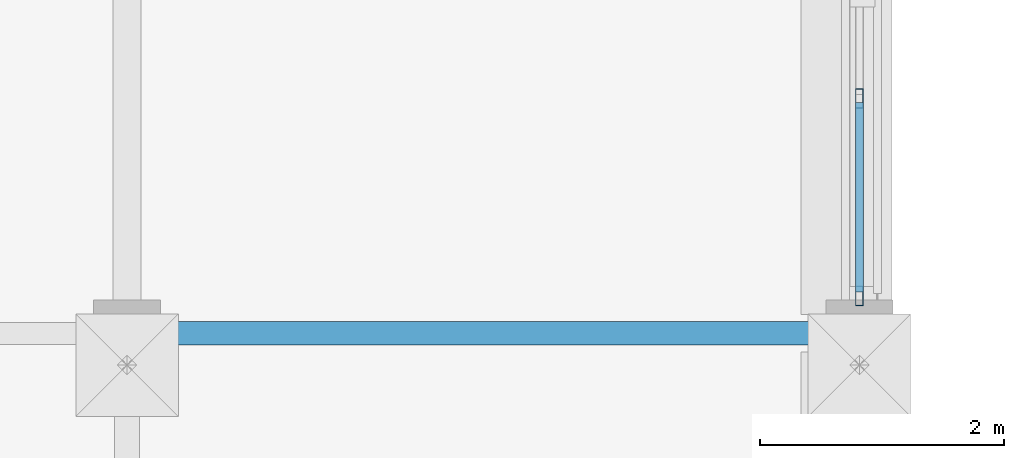
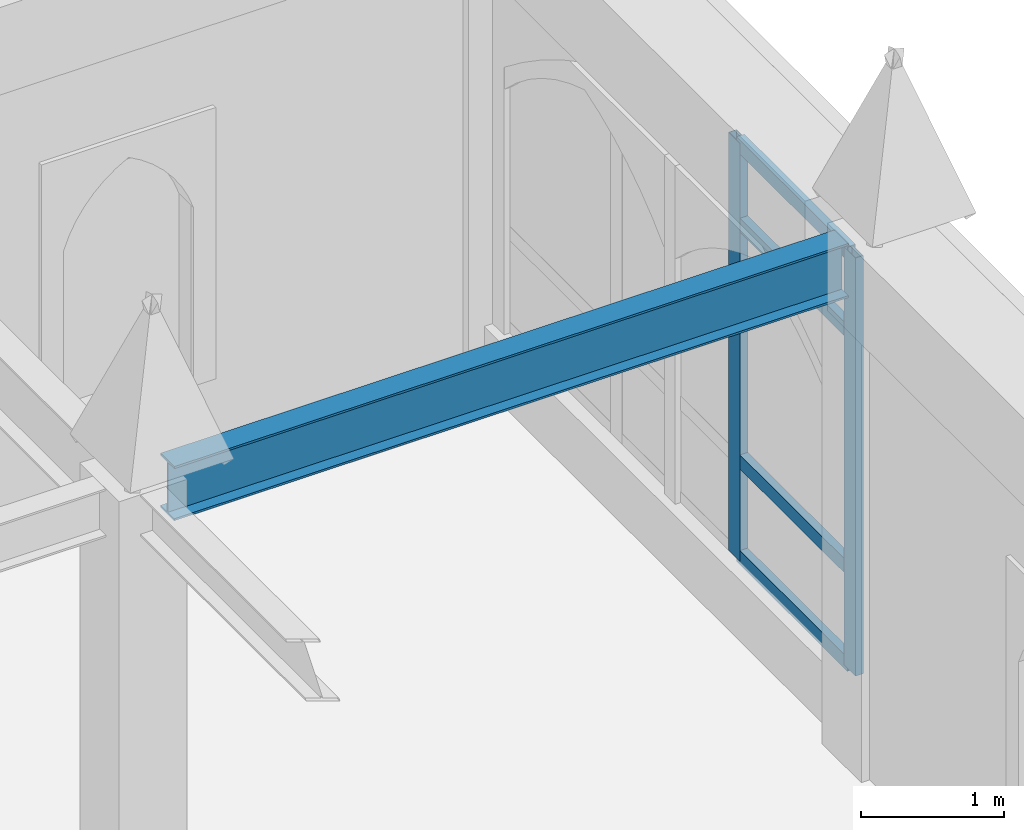
# One storey, part 57 of 108: 6 members, 1 beam, 1 element without a shape of its own.
"""IFC4 building model written with IfcOpenShell, lengths in metres."""

from ifc_helpers import new_model, si_unit, direction, frame, origin, origin_2d, place, context, subcontext, project, spatial, hollow_rectangle, i_section, extrude, material, layer, layer_set, material_profile, profile_set, type_object, element, aggregate, save


model = new_model("IFC4")

# Units and contexts
model_context = context("Model", 3, precision=1e-05, world=origin(), true_north=direction((0.0, 1.0)))
body_context = subcontext(model_context, "Body", "Model", "MODEL_VIEW")
ifc_project = project(units=[si_unit("LENGTHUNIT", "METRE"), si_unit("AREAUNIT", "SQUARE_METRE"), si_unit("VOLUMEUNIT", "CUBIC_METRE"), si_unit("PLANEANGLEUNIT", "RADIAN"), si_unit("MASSUNIT", "GRAM", prefix="KILO")], contexts=[model_context])

# Site, building, storey
site_placement = place(None, origin())
site = spatial("IfcSite", under=ifc_project, at=site_placement, CompositionType="ELEMENT")
building_placement = place(site_placement, origin())
building = spatial("IfcBuilding", under=site, at=building_placement, Name="Cumevento Cable Car Station", CompositionType="ELEMENT")
storey_placement = place(building_placement, frame((0.0, 0.0, 13.5)))
storey = spatial("IfcBuildingStorey", under=building, at=storey_placement, Name="L04", CompositionType="ELEMENT", Elevation=13.5)

# Curtain wall, members
ifc_material_1 = material(Name="Anodised Bronze Aluminium AW-6063-T6", Category="aluminium")
ifc_layer = layer(ifc_material_1, 0.25)
ifc_layer_set = layer_set([ifc_layer], Name="Anodised Bronze Aluminium AW-6063-T6")
curtain_wall_type = type_object("IfcCurtainWallType", Name="Lancet Curtain Wall CW-16 1650", PredefinedType="NOTDEFINED", material=ifc_layer_set)
curtain_wall_placement = place(storey_placement, origin())
curtain_wall = element("IfcCurtainWall", 1, at=curtain_wall_placement, inside=storey, type_object=curtain_wall_type, Name="Lancet Curtain Wall CW-16 L04 #191", PredefinedType="NOTDEFINED")
ifc_material_2 = material(Name="Anodised Bronze Aluminium AW-6063-T6", Category="aluminium")
ifc_material_profile_1 = material_profile(ifc_material_2, hollow_rectangle(XDim=0.06494140625, YDim=0.159912109375, WallThickness=0.00390625, at=origin_2d()), Name="ALUM65x160x4")
ifc_profile_set_1 = profile_set([ifc_material_profile_1], Name="Anodised Bronze Aluminium AW-6063-T6")
member_type_1 = type_object("IfcMemberType", Name="Curtain Mullion CWM-01 ALUM65x160x4", PredefinedType="MULLION", material=ifc_profile_set_1)
member_1_placement = place(storey_placement, frame((142.0, 52.925048828125, 0.52001953125), z_axis=(0.0, 0.0, 1.0), x_axis=(1.0, 0.0, 0.0)))
member_1 = element("IfcMember", 2, at=member_1_placement, type_object=member_type_1, Name="CW-16 mullion 3", PredefinedType="MULLION", context=body_context, shape_type="SweptSolid", body=[
    extrude(hollow_rectangle(XDim=0.06494140625, YDim=0.159912109375, WallThickness=0.00390625, at=origin_2d()), origin(), (0.0, 0.0, 1.0), 3.572998046875),
])
member_2_placement = place(storey_placement, frame((142.0, 51.3076171875, 0.52001953125), z_axis=(0.0, 0.0, 1.0), x_axis=(1.0, 0.0, 0.0)))
member_2 = element("IfcMember", 3, at=member_2_placement, type_object=member_type_1, Name="CW-16 mullion 4", PredefinedType="MULLION", context=body_context, shape_type="SweptSolid", body=[
    extrude(hollow_rectangle(XDim=0.06494140625, YDim=0.159912109375, WallThickness=0.00390625, at=origin_2d()), origin(), (0.0, 0.0, 1.0), 3.572998046875),
])
ifc_material_3 = material(Name="Anodised Bronze Aluminium AW-6063-T6", Category="aluminium")
ifc_material_profile_2 = material_profile(ifc_material_3, hollow_rectangle(XDim=0.06494140625, YDim=0.1201171875, WallThickness=0.00390625, at=origin_2d()), Name="ALUT65x120x4")
ifc_profile_set_2 = profile_set([ifc_material_profile_2], Name="Anodised Bronze Aluminium AW-6063-T6")
member_type_2 = type_object("IfcMemberType", Name="Curtain Transom CWT-01 ALUT65x120x4", PredefinedType="USERDEFINED", material=ifc_profile_set_2)
member_3_placement = place(storey_placement, frame((142.0, 52.892578125, 0.552490234375), z_axis=(0.0, -1.0, 0.0), x_axis=(1.0, 0.0, 0.0)))
member_3 = element("IfcMember", 4, at=member_3_placement, type_object=member_type_2, Name="CW-16 transom 3.1", ObjectType="TRANSOM", PredefinedType="USERDEFINED", context=body_context, shape_type="SweptSolid", body=[
    extrude(hollow_rectangle(XDim=0.06494140625, YDim=0.1201171875, WallThickness=0.00390625, at=origin_2d()), origin(), (0.0, 0.0, 1.0), 1.552490234375),
])
member_4_placement = place(storey_placement, frame((142.0, 52.892578125, 1.3701171875), z_axis=(0.0, -1.0, 0.0), x_axis=(1.0, 0.0, 0.0)))
member_4 = element("IfcMember", 5, at=member_4_placement, type_object=member_type_2, Name="CW-16 transom 3.2", ObjectType="TRANSOM", PredefinedType="USERDEFINED", context=body_context, shape_type="SweptSolid", body=[
    extrude(hollow_rectangle(XDim=0.06494140625, YDim=0.1201171875, WallThickness=0.00390625, at=origin_2d()), origin(), (0.0, 0.0, 1.0), 1.552490234375),
])
member_5_placement = place(storey_placement, frame((142.0, 52.892578125, 3.39306640625), z_axis=(0.0, -1.0, 0.0), x_axis=(1.0, 0.0, 0.0)))
member_5 = element("IfcMember", 6, at=member_5_placement, type_object=member_type_2, Name="CW-16 transom 3.3", ObjectType="TRANSOM", PredefinedType="USERDEFINED", context=body_context, shape_type="SweptSolid", body=[
    extrude(hollow_rectangle(XDim=0.06494140625, YDim=0.1201171875, WallThickness=0.00390625, at=origin_2d()), origin(), (0.0, 0.0, 1.0), 1.552490234375),
])
member_6_placement = place(storey_placement, frame((142.0, 52.892578125, 4.060546875), z_axis=(0.0, -1.0, 0.0), x_axis=(1.0, 0.0, 0.0)))
member_6 = element("IfcMember", 7, at=member_6_placement, type_object=member_type_2, Name="CW-16 transom 3.4", ObjectType="TRANSOM", PredefinedType="USERDEFINED", context=body_context, shape_type="SweptSolid", body=[
    extrude(hollow_rectangle(XDim=0.06494140625, YDim=0.1201171875, WallThickness=0.00390625, at=origin_2d()), origin(), (0.0, 0.0, 1.0), 1.552490234375),
])
aggregate(curtain_wall, [member_1, member_2, member_3, member_4, member_5, member_6])

# Beam
ifc_material_4 = material(Name="Steel ASTM A572 Grade 50", Category="steel")
ifc_material_profile_3 = material_profile(ifc_material_4, i_section(OverallWidth=0.19189453125, OverallDepth=0.462890625, WebThickness=0.010498046875, FlangeThickness=0.017578125, at=origin_2d()), Name="W460x89.0")
ifc_profile_set_3 = profile_set([ifc_material_profile_3], Name="Steel ASTM A572 Grade 50")
beam_type = type_object("IfcBeamType", Name="Structural Beam BM-10 W460x89.0", PredefinedType="BEAM", material=ifc_profile_set_3)
beam_placement = place(storey_placement, frame((136.27490234375, 51.0, 4.2685546875), z_axis=(1.0, 0.0, 0.0), x_axis=(0.0, 1.0, 0.0)))
element("IfcBeam", 8, at=beam_placement, inside=storey, type_object=beam_type, Name="Beam BM-10 L04 #1487", PredefinedType="BEAM", context=body_context, shape_type="SweptSolid", body=[
    extrude(i_section(OverallWidth=0.19189453125, OverallDepth=0.462890625, WebThickness=0.010498046875, FlangeThickness=0.017578125, at=origin_2d()), origin(), (0.0, 0.0, 1.0), 5.4501953125),
])

save(model, "model.ifc")
